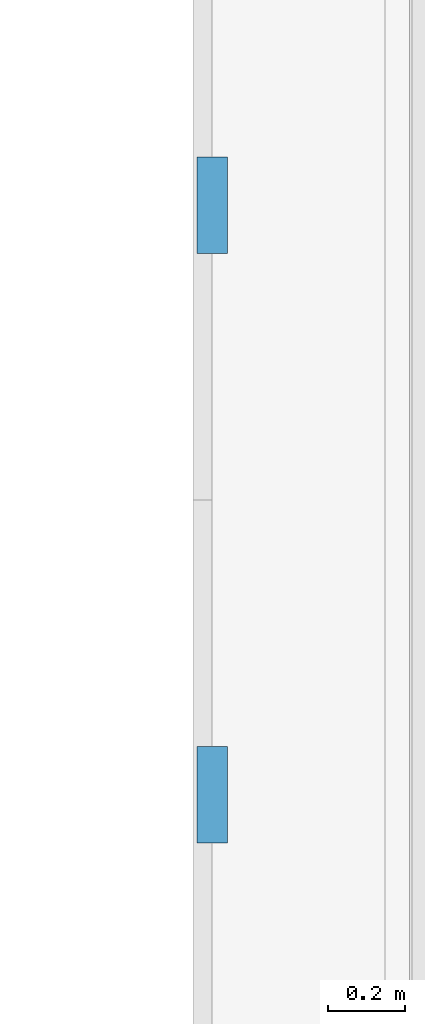
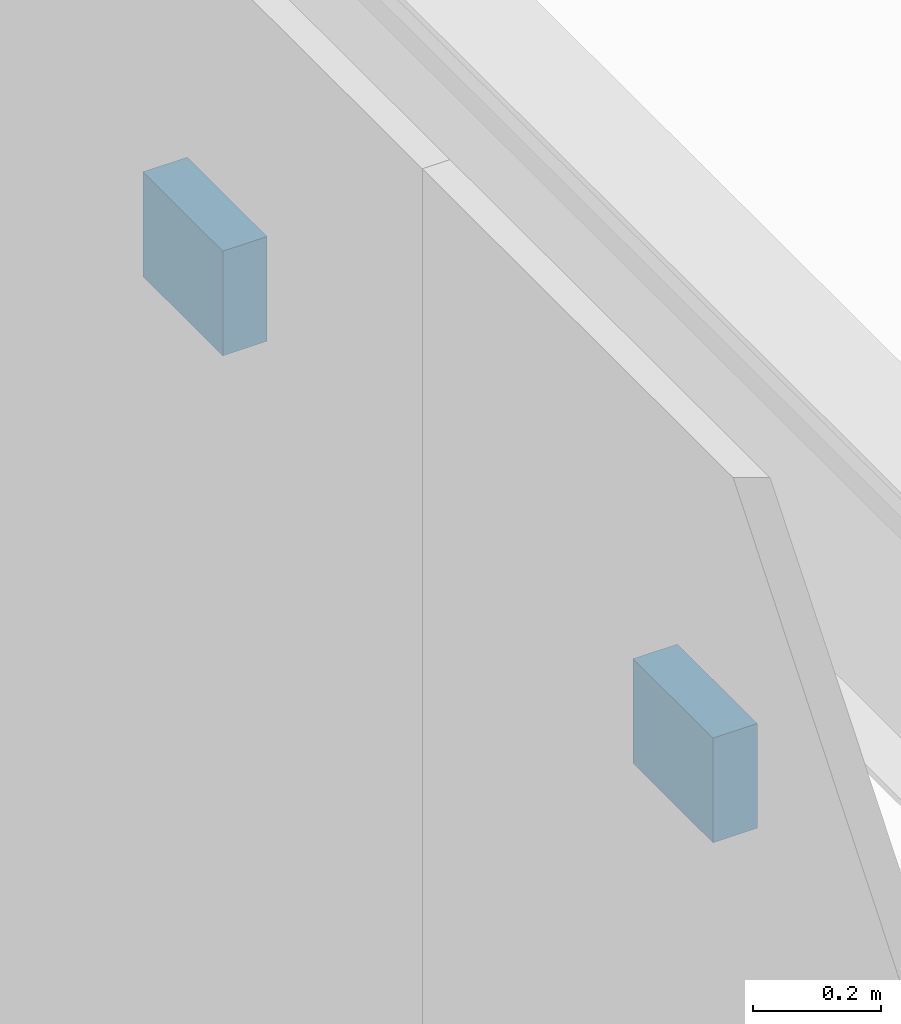
# One storey, part 154 of 278: 2 discrete accessories.
"""IFC4 building model written with IfcOpenShell, lengths in metres."""

from ifc_helpers import new_model, si_unit, direction, frame, origin, origin_2d, place, context, subcontext, project, spatial, rectangle, extrude, material, layer, layer_set, type_object, element, save


model = new_model("IFC4")

# Units and contexts
model_context = context("Model", 3, precision=1e-05, world=origin(), true_north=direction((0.0, 1.0)))
body_context = subcontext(model_context, "Body", "Model", "MODEL_VIEW")
ifc_project = project(units=[si_unit("LENGTHUNIT", "METRE"), si_unit("AREAUNIT", "SQUARE_METRE"), si_unit("VOLUMEUNIT", "CUBIC_METRE"), si_unit("PLANEANGLEUNIT", "RADIAN"), si_unit("MASSUNIT", "GRAM", prefix="KILO")], contexts=[model_context])

# Site, building, storey
site_placement = place(None, origin())
site = spatial("IfcSite", under=ifc_project, at=site_placement, CompositionType="ELEMENT")
building_placement = place(site_placement, origin())
building = spatial("IfcBuilding", under=site, at=building_placement, Name="Ogive Plaza Stadium", CompositionType="ELEMENT")
storey_placement = place(building_placement, frame((0.0, 0.0, 29.0)))
storey = spatial("IfcBuildingStorey", under=building, at=storey_placement, Name="Roof", CompositionType="ELEMENT", Elevation=29.0)

# Discrete accessories
ifc_material = material(Name="Steel ASTM A572 Grade 50", Category="steel")
ifc_layer = layer(ifc_material, 0.080078125)
ifc_layer_set = layer_set([ifc_layer], Name="Steel ASTM A572 Grade 50")
discrete_accessory_type = type_object("IfcDiscreteAccessoryType", Name="Tracery screen bracket 250x200", PredefinedType="BRACKET", material=ifc_layer_set)
for number, where, z_axis, x_axis, name in (
    (1, (-84.602294921875, -18.066650390625, 5.25), (0.0, 0.0, 1.0), (0.0, 1.0, 0.0), "TRACERY SCREEN BRACKET B23 3"),
    (2, (-84.602294921875, -16.533203125, 5.25), (0.0, 0.0, 1.0), (0.0, 1.0, 0.0), "TRACERY SCREEN BRACKET B23 4"),
):
    element("IfcDiscreteAccessory", number, at=place(storey_placement, frame(where, z_axis=z_axis, x_axis=x_axis)), inside=storey, type_object=discrete_accessory_type, Name=name, PredefinedType="BRACKET", context=body_context, shape_type="SweptSolid", body=[
        extrude(rectangle(XDim=0.25, YDim=0.080078125, at=origin_2d()), origin(), (0.0, 0.0, 1.0), 0.199951171875),
    ])

save(model, "model.ifc")
